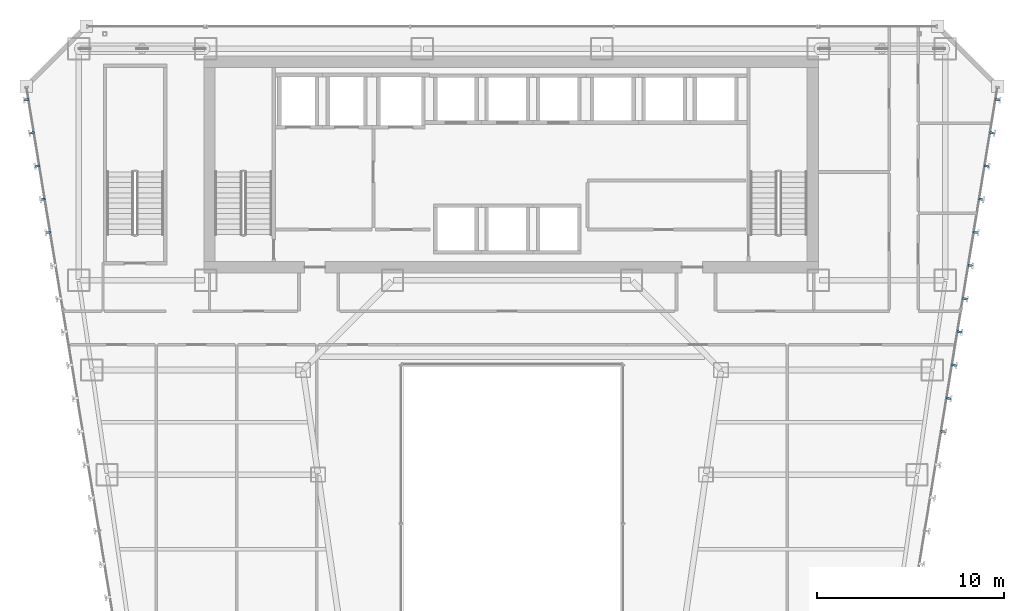
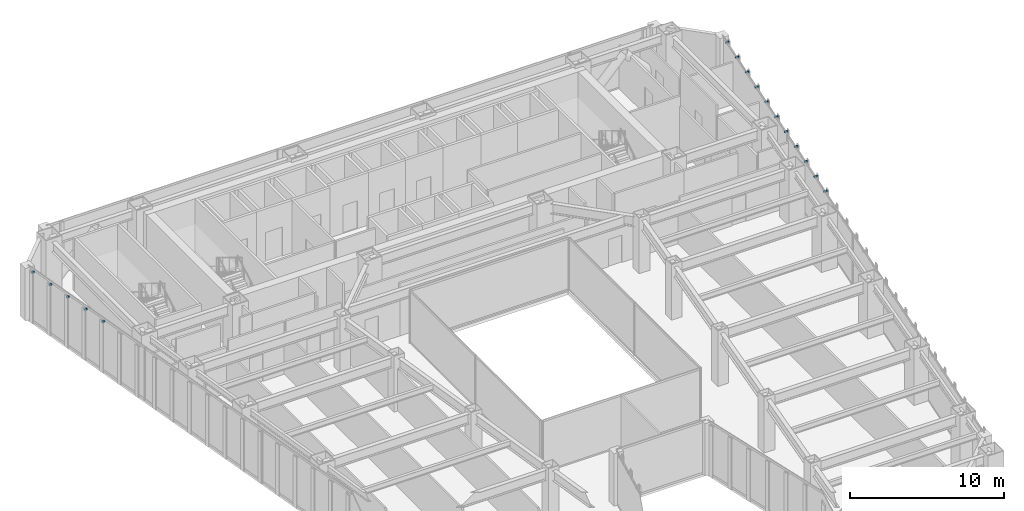
# One storey, part 40 of 47: 16 discrete accessories.
"""IFC4 building model written with IfcOpenShell, lengths in metres."""

from ifc_helpers import new_model, si_unit, direction, frame, origin, origin_2d, place, context, subcontext, project, spatial, rectangle, extrude, material, layer, layer_set, type_object, element, save


model = new_model("IFC4")

# Units and contexts
model_context = context("Model", 3, precision=1e-05, world=origin(), true_north=direction((0.0, 1.0)))
body_context = subcontext(model_context, "Body", "Model", "MODEL_VIEW")
ifc_project = project(units=[si_unit("LENGTHUNIT", "METRE"), si_unit("AREAUNIT", "SQUARE_METRE"), si_unit("VOLUMEUNIT", "CUBIC_METRE"), si_unit("PLANEANGLEUNIT", "RADIAN"), si_unit("MASSUNIT", "GRAM", prefix="KILO")], contexts=[model_context])

# Site, building, storey
site_placement = place(None, origin())
site = spatial("IfcSite", under=ifc_project, at=site_placement, CompositionType="ELEMENT")
building_placement = place(site_placement, origin())
building = spatial("IfcBuilding", under=site, at=building_placement, Name="Saevonmaru Cultural Tower", CompositionType="ELEMENT")
storey_placement = place(building_placement, frame((0.0, 0.0, 78.0)))
storey = spatial("IfcBuildingStorey", under=building, at=storey_placement, Name="L16", CompositionType="ELEMENT", Elevation=78.0)

# Discrete accessories
ifc_material = material(Name="Stainless Steel 316", Category="steel")
ifc_layer = layer(ifc_material, 0.1201171875, Name="Stainless Steel 316")
ifc_layer_set = layer_set([ifc_layer], Name="Stainless Steel 316")
discrete_accessory_type = type_object("IfcDiscreteAccessoryType", Name="ACC-FIN-BRKT", PredefinedType="BRACKET", material=ifc_layer_set)
for number, where, z_axis, x_axis, name in (
    (1, (53.081787109375, 34.31103515625, 3.929931640625), (0.0, 0.0, 1.0), (0.986827496189, -0.161776057456, 0.0), "L16 Bronze Fin Bracket E8-17"),
    (2, (53.372802734375, 36.08740234375, 3.929931640625), (0.0, 0.0, 1.0), (0.986827496189, -0.161776057456, 0.0), "L16 Bronze Fin Bracket E8-18"),
    (3, (53.663818359375, 37.86376953125, 3.929931640625), (0.0, 0.0, 1.0), (0.986827496189, -0.161776057456, 0.0), "L16 Bronze Fin Bracket E8-19"),
    (4, (53.955078125, 39.64013671875, 3.929931640625), (0.0, 0.0, 1.0), (0.986827496189, -0.161776057456, 0.0), "L16 Bronze Fin Bracket E8-20"),
    (5, (54.24609375, 41.41650390625, 3.929931640625), (0.0, 0.0, 1.0), (0.986827496189, -0.161776057456, 0.0), "L16 Bronze Fin Bracket E8-21"),
    (6, (54.537109375, 43.192626953125, 3.929931640625), (0.0, 0.0, 1.0), (0.986827496189, -0.161776057456, 0.0), "L16 Bronze Fin Bracket E8-22"),
    (7, (54.828125, 44.968994140625, 3.929931640625), (0.0, 0.0, 1.0), (0.986827496189, -0.161776057456, 0.0), "L16 Bronze Fin Bracket E8-23"),
    (8, (55.119384765625, 46.745361328125, 3.929931640625), (0.0, 0.0, 1.0), (0.986827496189, -0.161776057456, 0.0), "L16 Bronze Fin Bracket E8-24"),
    (9, (55.410400390625, 48.521484375, 3.929931640625), (0.0, 0.0, 1.0), (0.986827496189, -0.161776057456, 0.0), "L16 Bronze Fin Bracket E8-25"),
    (10, (55.701416015625, 50.2978515625, 3.929931640625), (0.0, 0.0, 1.0), (0.986827496189, -0.161776057456, 0.0), "L16 Bronze Fin Bracket E8-26"),
    (11, (55.992431640625, 52.07421875, 3.929931640625), (0.0, 0.0, 1.0), (0.986827496189, -0.161776057456, 0.0), "L16 Bronze Fin Bracket E8-27"),
    (12, (4.007568359375, 52.07421875, 3.929931640625), (0.0, 0.0, 1.0), (-0.986827496189, -0.161776057456, 0.0), "L16 Bronze Fin Bracket E12-01"),
    (13, (4.298583984375, 50.2978515625, 3.929931640625), (0.0, 0.0, 1.0), (-0.986827496189, -0.161776057456, 0.0), "L16 Bronze Fin Bracket E12-02"),
    (14, (4.589599609375, 48.521484375, 3.929931640625), (0.0, 0.0, 1.0), (-0.986827496189, -0.161776057456, 0.0), "L16 Bronze Fin Bracket E12-03"),
    (15, (4.880615234375, 46.745361328125, 3.929931640625), (0.0, 0.0, 1.0), (-0.986827496189, -0.161776057456, 0.0), "L16 Bronze Fin Bracket E12-04"),
    (16, (5.171875, 44.968994140625, 3.929931640625), (0.0, 0.0, 1.0), (-0.986827496189, -0.161776057456, 0.0), "L16 Bronze Fin Bracket E12-05"),
):
    element("IfcDiscreteAccessory", number, at=place(storey_placement, frame(where, z_axis=z_axis, x_axis=x_axis)), inside=storey, type_object=discrete_accessory_type, Name=name, PredefinedType="BRACKET", context=body_context, shape_type="SweptSolid", body=[
        extrude(rectangle(XDim=0.260009765625, YDim=0.1201171875, at=origin_2d()), origin(), (0.0, 0.0, 1.0), 0.1201171875),
    ])

save(model, "model.ifc")
